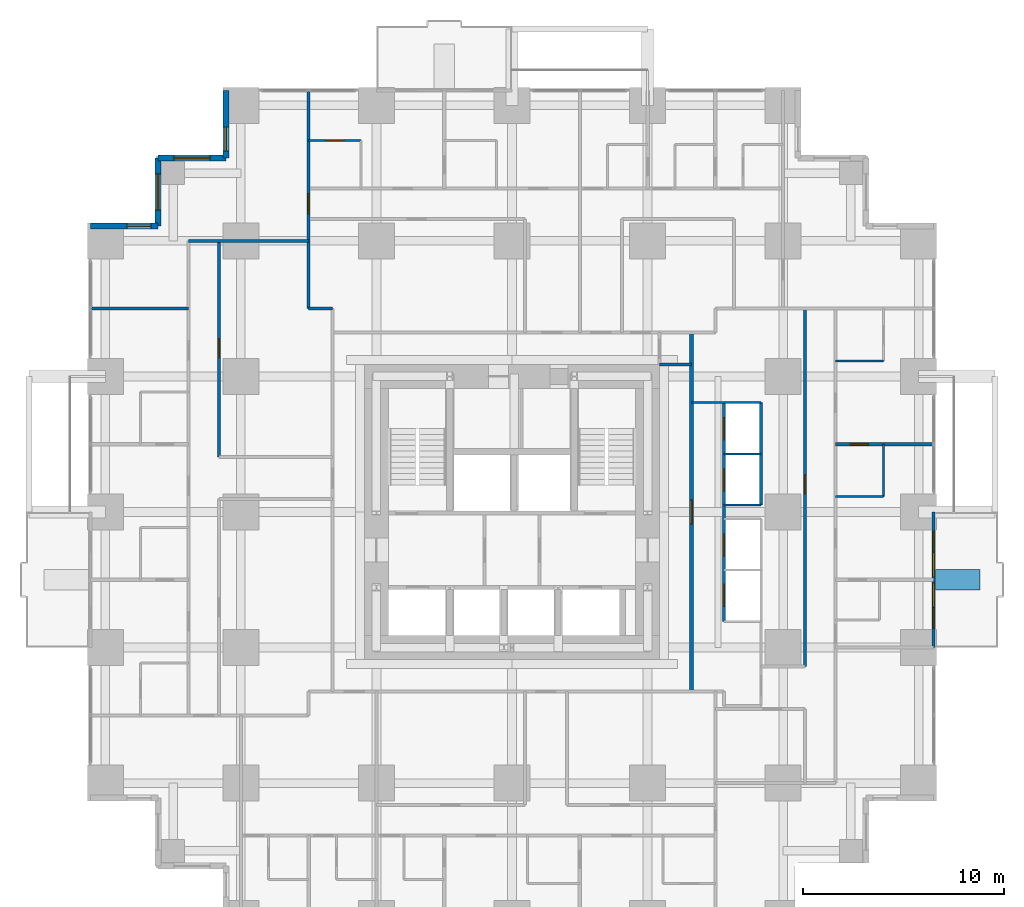
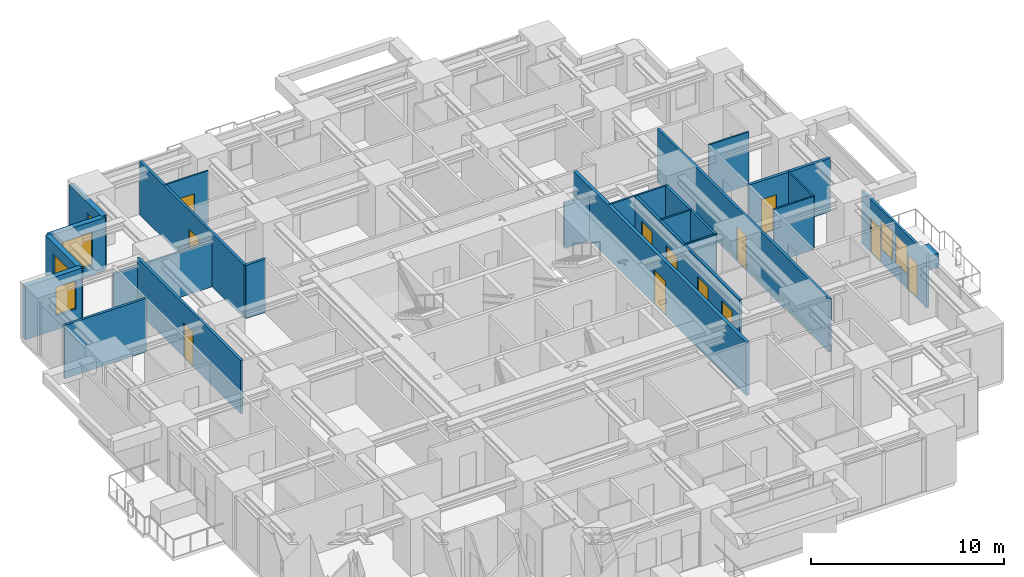
# One storey, part 11 of 14: 24 walls, 12 doors, 6 windows, 18 openings.
"""IFC4 building model written with IfcOpenShell, lengths in metres."""

import ifcopenshell
import ifcopenshell.guid

model = None  # the IFC model being written
_history = None  # IfcOwnerHistory: only IFC2X3 demands one
_inside = {}  # id of a spatial element -> (the spatial element, [elements in it])
_under = {}  # id of a project, library or spatial element -> (it, [spatial elements below it])
_declared = {}  # id of a project -> (the project, [libraries it declares])
_typed = {}  # id of a type object -> (the type object, [elements of that type])
_made_of = {}  # id of a material, layer set ... -> (it, [elements and type objects made of it])


def new_model(schema):
    """Start an empty IFC model of exactly this schema.

    Asked for "IFC4X3", IfcOpenShell would pick the latest addendum, in which some entities
    have other attributes; the version numbers below select the first issue.
    IFC2X3 requires an IfcOwnerHistory on every rooted entity: one is made here for all.
    """
    global model, _history
    if schema == "IFC4X3":
        model = ifcopenshell.file(schema_version=(4, 3, 0, 0))
    else:
        model = ifcopenshell.file(schema=schema)
    _inside.clear()
    _under.clear()
    _declared.clear()
    _typed.clear()
    _made_of.clear()
    _history = None
    if model.schema == "IFC2X3":
        org = make("IfcOrganization", Name="unknown")
        user = make(
            "IfcPersonAndOrganization",
            ThePerson=make("IfcPerson", FamilyName="unknown"),
            TheOrganization=org,
        )
        app = make(
            "IfcApplication",
            ApplicationDeveloper=org,
            Version="unknown",
            ApplicationFullName="unknown",
            ApplicationIdentifier="unknown",
        )
        _history = make(
            "IfcOwnerHistory",
            OwningUser=user,
            OwningApplication=app,
            ChangeAction="ADDED",
            CreationDate=0,
        )
    return model


def make(cls, **values):
    """One entity of the class cls with the attributes given. An attribute that is None is left unset."""
    return model.create_entity(
        cls, **{name: value for name, value in values.items() if value is not None}
    )


def rooted(cls, **values):
    """An entity with a GlobalId (a new one), such as an element, a storey or a relation."""
    return make(cls, GlobalId=ifcopenshell.guid.new(), OwnerHistory=_history, **values)


def si_unit(unit_type, name, prefix=None):
    """IfcSIUnit, for example si_unit("LENGTHUNIT", "METRE", prefix="MILLI")."""
    return make("IfcSIUnit", UnitType=unit_type, Prefix=prefix, Name=name)


def assignment(units):
    """IfcUnitAssignment: the units of a project."""
    return None if units is None else make("IfcUnitAssignment", Units=units)


def point(xyz):
    """IfcCartesianPoint."""
    return None if xyz is None else make("IfcCartesianPoint", Coordinates=xyz)


def direction(xyz):
    """IfcDirection."""
    return None if xyz is None else make("IfcDirection", DirectionRatios=xyz)


def frame(location, z_axis=None, x_axis=None):
    """IfcAxis2Placement3D, a coordinate frame: its origin and axes. An axis left out is left unset."""
    return make(
        "IfcAxis2Placement3D",
        Location=point(location),
        Axis=direction(z_axis),
        RefDirection=direction(x_axis),
    )


def frame_2d(location, x_axis=None):
    """IfcAxis2Placement2D, a coordinate frame in the plane: its origin and x axis."""
    return make(
        "IfcAxis2Placement2D", Location=point(location), RefDirection=direction(x_axis)
    )


def origin():
    """The frame at (0, 0, 0) with its axes left unset."""
    return frame((0.0, 0.0, 0.0))


def place(relative_to, where):
    """IfcLocalPlacement: puts the frame where relative to a parent placement (None: the world)."""
    return make(
        "IfcLocalPlacement", PlacementRelTo=relative_to, RelativePlacement=where
    )


def context(
    kind, dimensions, precision=None, world=None, true_north=None, identifier=None
):
    """IfcGeometricRepresentationContext, for example the 3D "Model" context."""
    return make(
        "IfcGeometricRepresentationContext",
        ContextIdentifier=identifier,
        ContextType=kind,
        CoordinateSpaceDimension=dimensions,
        Precision=precision,
        WorldCoordinateSystem=world,
        TrueNorth=true_north,
    )


def subcontext(parent, identifier, kind, view, scale=None):
    """IfcGeometricRepresentationSubContext, for example "Body" below "Model"."""
    return make(
        "IfcGeometricRepresentationSubContext",
        ContextIdentifier=identifier,
        ContextType=kind,
        ParentContext=parent,
        TargetScale=scale,
        TargetView=view,
    )


def project(units=None, contexts=None):
    """IfcProject with its units and contexts."""
    return rooted(
        "IfcProject",
        Name="project",
        RepresentationContexts=contexts,
        UnitsInContext=assignment(units),
    )


def spatial(cls, under=None, at=None, **own):
    """A site, building, storey or space (cls), placed at a placement, below another one or the project."""
    s = rooted(cls, ObjectPlacement=at, **own)
    if under is not None:
        _under.setdefault(under.id(), (under, []))[1].append(s)
    return s


def profile(cls, at=None, kind="AREA", **sizes):
    """A parametric profile (cls). Its sizes go by their IFC names, for example OverallWidth=200.0."""
    return make(cls, ProfileType=kind, Position=at, **sizes)


def rectangle(**sizes):
    """IfcRectangleProfileDef."""
    return profile("IfcRectangleProfileDef", **sizes)


def extrude(swept, where, along, depth):
    """IfcExtrudedAreaSolid: the profile swept, set in the frame where, extruded along a direction by depth."""
    return make(
        "IfcExtrudedAreaSolid",
        SweptArea=swept,
        Position=where,
        ExtrudedDirection=direction(along),
        Depth=depth,
    )


def shape(context_of_items, identifier, shape_type, items):
    """IfcShapeRepresentation: the items that make up one representation, for example the "Body"."""
    return make(
        "IfcShapeRepresentation",
        ContextOfItems=context_of_items,
        RepresentationIdentifier=identifier,
        RepresentationType=shape_type,
        Items=items,
    )


def material(Name=None, Category=None):
    """IfcMaterial."""
    return make("IfcMaterial", Name=Name, Category=Category)


def layer(
    of_material, thickness, ventilated=None, Name=None, Category=None, Priority=None
):
    """IfcMaterialLayer: one layer of a wall or slab, of a material (None: an air gap)."""
    return make(
        "IfcMaterialLayer",
        Material=of_material,
        LayerThickness=thickness,
        IsVentilated=ventilated,
        Name=Name,
        Category=Category,
        Priority=Priority,
    )


def layer_set(layers, Name=None):
    """IfcMaterialLayerSet."""
    return make("IfcMaterialLayerSet", MaterialLayers=layers, LayerSetName=Name)


def made_of(thing, what):
    """Note that an element or type object is made of a material, layer set ...; save() writes the relation."""
    if what is not None:
        _made_of.setdefault(what.id(), (what, []))[1].append(thing)
    return thing


def type_object(cls, material=None, **own):
    """A type object (cls), such as IfcWallType, which elements share."""
    return made_of(rooted(cls, **own), material)


def element(
    cls,
    number,
    at=None,
    inside=None,
    cuts=None,
    type_object=None,
    material=None,
    context=None,
    identifier="Body",
    shape_type=None,
    held_by="IfcProductDefinitionShape",
    body=None,
    shapes=None,
    **own,
):
    """One element of the class cls, such as IfcWall. Its Tag is "e" and its number.

    at: its placement. inside: the storey or other place that contains it. cuts: it is an
    opening in that element (IfcRelVoidsElement). A single representation is given by context,
    identifier, shape_type and body (its items); several are given by shapes. held_by: the class
    of the entity that holds the representations. save() writes the other relations.
    """
    e = rooted(cls, Tag="e%d" % number, ObjectPlacement=at, **own)
    if body is not None:
        shapes = [shape(context, identifier, shape_type, body)]
    if shapes is not None:
        e.Representation = make(held_by, Representations=shapes)
    if inside is not None:
        _inside.setdefault(inside.id(), (inside, []))[1].append(e)
    if cuts is not None:
        rooted(
            "IfcRelVoidsElement", RelatingBuildingElement=cuts, RelatedOpeningElement=e
        )
    if type_object is not None:
        _typed.setdefault(type_object.id(), (type_object, []))[1].append(e)
    return made_of(e, material)


def fill(opening, filler):
    """IfcRelFillsElement: the door or window that sits in an opening."""
    return rooted(
        "IfcRelFillsElement",
        RelatingOpeningElement=opening,
        RelatedBuildingElement=filler,
    )


def aggregate(whole, parts):
    """IfcRelAggregates: a whole, such as a stair, and the parts it consists of."""
    return rooted("IfcRelAggregates", RelatingObject=whole, RelatedObjects=parts)


def save(model, path):
    """Write the relations noted so far, then the file.

    IfcRelAggregates (storeys below a building ...), IfcRelContainedInSpatialStructure (elements
    in a storey), IfcRelDefinesByType, IfcRelAssociatesMaterial and IfcRelDeclares: one each for
    every whole, place, type object, material and project.
    """
    for whole, parts in _under.values():
        aggregate(whole, parts)
    for where, things in _inside.values():
        rooted(
            "IfcRelContainedInSpatialStructure",
            RelatedElements=things,
            RelatingStructure=where,
        )
    for kind, things in _typed.values():
        rooted("IfcRelDefinesByType", RelatedObjects=things, RelatingType=kind)
    for what, things in _made_of.values():
        rooted("IfcRelAssociatesMaterial", RelatedObjects=things, RelatingMaterial=what)
    for by, libraries in _declared.values():
        rooted("IfcRelDeclares", RelatingContext=by, RelatedDefinitions=libraries)
    model.write(path)


model = new_model("IFC4")

# Units and contexts
model_context = context("Model", 3, precision=1e-05, world=origin(), true_north=direction((0.0, 1.0)))
body_context = subcontext(model_context, "Body", "Model", "MODEL_VIEW")
ifc_project = project(units=[si_unit("LENGTHUNIT", "METRE"), si_unit("AREAUNIT", "SQUARE_METRE"), si_unit("VOLUMEUNIT", "CUBIC_METRE"), si_unit("PLANEANGLEUNIT", "RADIAN"), si_unit("MASSUNIT", "GRAM", prefix="KILO")], contexts=[model_context])

# Site, building, storey
site_placement = place(None, origin())
site = spatial("IfcSite", under=ifc_project, at=site_placement, CompositionType="ELEMENT")
building_placement = place(site_placement, origin())
building = spatial("IfcBuilding", under=site, at=building_placement, Name="Nyansa Garden Tower", CompositionType="ELEMENT")
storey_placement = place(building_placement, frame((0.0, 0.0, 54.0)))
storey = spatial("IfcBuildingStorey", under=building, at=storey_placement, Name="L14", CompositionType="ELEMENT", Elevation=54.0)

# Wall, opening, door
ifc_material_1 = material(Name="Dense blockwork, plastered both sides, 55 dB", Category="masonry")
ifc_layer_1 = layer(ifc_material_1, 0.175048828125)
ifc_layer_set_1 = layer_set([ifc_layer_1], Name="Acoustic party wall PW175")
wall_type_1 = type_object("IfcWallType", Name="Acoustic party wall PW175", PredefinedType="PARTITIONING", material=ifc_layer_set_1)
wall_1_placement = place(storey_placement, frame((36.35009765625, 23.625, 0.0), z_axis=(0.0, 0.0, 1.0), x_axis=(1.0, 0.0, 0.0)))
wall_1 = element("IfcWall", 1, at=wall_1_placement, inside=storey, type_object=wall_type_1, Name="Party wall", PredefinedType="PARTITIONING", context=body_context, shape_type="SweptSolid", body=[
    extrude(rectangle(XDim=4.8837890625, YDim=0.175048828125, at=frame_2d((2.44189453125, 0.0))), origin(), (0.0, 0.0, 1.0), 3.375),
])
opening_1_placement = place(wall_1_placement, frame((0.75, 0.0, 0.0)))
opening_1 = element("IfcOpeningElement", 2, at=opening_1_placement, cuts=wall_1, Name="Opening D02", PredefinedType="OPENING", context=body_context, shape_type="SweptSolid", body=[
    extrude(rectangle(XDim=0.89990234375, YDim=2.199951171875, at=frame_2d((0.449951171875, 1.10009765625))), frame((0.0, 0.097412109375, 0.0), z_axis=(0.0, -1.0, 0.0), x_axis=(1.0, 0.0, 0.0)), (0.0, 0.0, 1.0), 0.195068359375),
])
ifc_material_2 = material(Name="Timber flush door", Category="wood")
door_type_1 = type_object("IfcDoorType", Name="En-suite door D02 900x2200", OperationType="SINGLE_SWING_RIGHT", PredefinedType="DOOR", material=ifc_material_2)
door_1_placement = place(opening_1_placement, origin())
door_1 = element("IfcDoor", 3, at=door_1_placement, inside=storey, type_object=door_type_1, Name="Door L14-036", OperationType="SINGLE_SWING_RIGHT", OverallHeight=2.199951171875, OverallWidth=0.89990234375, PredefinedType="DOOR", context=body_context, shape_type="SweptSolid", body=[
    extrude(rectangle(XDim=0.89990234375, YDim=2.199951171875, at=frame_2d((0.449951171875, 1.10009765625))), frame((0.0, 0.02490234375, 0.0), z_axis=(0.0, -1.0, 0.0), x_axis=(1.0, 0.0, 0.0)), (0.0, 0.0, 1.0), 0.050048828125),
])
fill(opening_1, door_1)

# Wall, openings, doors, windows
ifc_material_3 = material(Name="Black aluminium framed glazed screen", Category="aluminium")
ifc_layer_2 = layer(ifc_material_3, 0.14990234375)
ifc_layer_set_2 = layer_set([ifc_layer_2], Name="Balcony screen wall BW150")
wall_type_2 = type_object("IfcWallType", Name="Balcony screen wall BW150", PredefinedType="SOLIDWALL", material=ifc_layer_set_2)
wall_2_placement = place(storey_placement, frame((41.25, 20.25, 0.0), z_axis=(0.0, 0.0, 1.0), x_axis=(0.0, -1.0, 0.0)))
wall_2 = element("IfcWall", 4, at=wall_2_placement, inside=storey, type_object=wall_type_2, Name="Glazed screen wall L14 E", PredefinedType="SOLIDWALL", context=body_context, shape_type="SweptSolid", body=[
    extrude(rectangle(XDim=6.75, YDim=0.14990234375, at=frame_2d((3.375, 0.0))), origin(), (0.0, 0.0, 1.0), 3.375),
])
opening_2_placement = place(wall_2_placement, frame((0.96240234375, 0.0, 0.0)))
opening_2 = element("IfcOpeningElement", 5, at=opening_2_placement, cuts=wall_2, Name="Opening D20", PredefinedType="OPENING", context=body_context, shape_type="SweptSolid", body=[
    extrude(rectangle(XDim=1.0, YDim=2.199951171875, at=frame_2d((0.5, 1.10009765625))), frame((0.0, 0.0849609375, 0.0), z_axis=(0.0, -1.0, 0.0), x_axis=(1.0, 0.0, 0.0)), (0.0, 0.0, 1.0), 0.169921875),
])
opening_3_placement = place(wall_2_placement, frame((2.02490234375, 0.0, 0.89990234375)))
opening_3 = element("IfcOpeningElement", 6, at=opening_3_placement, cuts=wall_2, Name="Opening W6", PredefinedType="OPENING", context=body_context, shape_type="SweptSolid", body=[
    extrude(rectangle(XDim=1.199951171875, YDim=1.800048828125, at=frame_2d((0.60009765625, 0.89990234375))), frame((0.0, 0.0849609375, 0.0), z_axis=(0.0, -1.0, 0.0), x_axis=(1.0, 0.0, 0.0)), (0.0, 0.0, 1.0), 0.169921875),
])
opening_4_placement = place(wall_2_placement, frame((4.78759765625, 0.0, 0.0)))
opening_4 = element("IfcOpeningElement", 7, at=opening_4_placement, cuts=wall_2, Name="Opening D20", PredefinedType="OPENING", context=body_context, shape_type="SweptSolid", body=[
    extrude(rectangle(XDim=1.0, YDim=2.199951171875, at=frame_2d((0.5, 1.10009765625))), frame((0.0, 0.0849609375, 0.0), z_axis=(0.0, -1.0, 0.0), x_axis=(1.0, 0.0, 0.0)), (0.0, 0.0, 1.0), 0.169921875),
])
opening_5_placement = place(wall_2_placement, frame((3.52490234375, 0.0, 0.89990234375)))
opening_5 = element("IfcOpeningElement", 8, at=opening_5_placement, cuts=wall_2, Name="Opening W6", PredefinedType="OPENING", context=body_context, shape_type="SweptSolid", body=[
    extrude(rectangle(XDim=1.199951171875, YDim=1.800048828125, at=frame_2d((0.60009765625, 0.89990234375))), frame((0.0, 0.0849609375, 0.0), z_axis=(0.0, -1.0, 0.0), x_axis=(1.0, 0.0, 0.0)), (0.0, 0.0, 1.0), 0.169921875),
])
ifc_material_4 = material(Name="Black aluminium framed glazed door", Category="aluminium")
door_type_2 = type_object("IfcDoorType", Name="Balcony door D20 1000x2200", OperationType="NOTDEFINED", PredefinedType="DOOR", material=ifc_material_4)
door_2_placement = place(opening_2_placement, origin())
door_2 = element("IfcDoor", 9, at=door_2_placement, inside=storey, type_object=door_type_2, Name="Balcony door L14", OperationType="SINGLE_SWING_LEFT", OverallHeight=2.199951171875, OverallWidth=1.0, PredefinedType="DOOR", context=body_context, shape_type="SweptSolid", body=[
    extrude(rectangle(XDim=1.0, YDim=2.199951171875, at=frame_2d((0.5, 1.10009765625))), frame((0.0, 0.02490234375, 0.0), z_axis=(0.0, -1.0, 0.0), x_axis=(1.0, 0.0, 0.0)), (0.0, 0.0, 1.0), 0.050048828125),
])
fill(opening_2, door_2)
door_3_placement = place(opening_4_placement, origin())
door_3 = element("IfcDoor", 10, at=door_3_placement, inside=storey, type_object=door_type_2, Name="Balcony door L14", OperationType="SINGLE_SWING_RIGHT", OverallHeight=2.199951171875, OverallWidth=1.0, PredefinedType="DOOR", context=body_context, shape_type="SweptSolid", body=[
    extrude(rectangle(XDim=1.0, YDim=2.199951171875, at=frame_2d((0.5, 1.10009765625))), frame((0.0, 0.02490234375, 0.0), z_axis=(0.0, -1.0, 0.0), x_axis=(1.0, 0.0, 0.0)), (0.0, 0.0, 1.0), 0.050048828125),
])
fill(opening_4, door_3)
ifc_material_5 = material(Name="Black aluminium frame, dark tinted double glazing", Category="aluminium")
window_type_1 = type_object("IfcWindowType", Name="Balcony window W6 1200x1800", PartitioningType="SINGLE_PANEL", PredefinedType="WINDOW", material=ifc_material_5)
window_1_placement = place(opening_3_placement, origin())
window_1 = element("IfcWindow", 11, at=window_1_placement, inside=storey, type_object=window_type_1, Name="Window L14", OverallHeight=1.800048828125, OverallWidth=1.199951171875, PartitioningType="SINGLE_PANEL", PredefinedType="WINDOW", context=body_context, shape_type="SweptSolid", body=[
    extrude(rectangle(XDim=1.199951171875, YDim=1.800048828125, at=frame_2d((0.60009765625, 0.89990234375))), frame((0.0, 0.030029296875, 0.0), z_axis=(0.0, -1.0, 0.0), x_axis=(1.0, 0.0, 0.0)), (0.0, 0.0, 1.0), 0.06005859375),
])
fill(opening_3, window_1)
window_2_placement = place(opening_5_placement, origin())
window_2 = element("IfcWindow", 12, at=window_2_placement, inside=storey, type_object=window_type_1, Name="Window L14", OverallHeight=1.800048828125, OverallWidth=1.199951171875, PartitioningType="SINGLE_PANEL", PredefinedType="WINDOW", context=body_context, shape_type="SweptSolid", body=[
    extrude(rectangle(XDim=1.199951171875, YDim=1.800048828125, at=frame_2d((0.60009765625, 0.89990234375))), frame((0.0, 0.030029296875, 0.0), z_axis=(0.0, -1.0, 0.0), x_axis=(1.0, 0.0, 0.0)), (0.0, 0.0, 1.0), 0.06005859375),
])
fill(opening_5, window_2)

# Wall, opening, door
ifc_material_6 = material(Name="Concrete blockwork, plastered, 60 minute fire resisting", Category="masonry")
ifc_layer_3 = layer(ifc_material_6, 0.199951171875)
ifc_layer_set_3 = layer_set([ifc_layer_3], Name="Corridor wall FW200")
wall_type_3 = type_object("IfcWallType", Name="Corridor wall FW200", PredefinedType="PARTITIONING", material=ifc_layer_set_3)
wall_3_placement = place(storey_placement, frame((29.199951171875, 11.300048828125, 0.0), z_axis=(0.0, 0.0, 1.0), x_axis=(0.0, 1.0, 0.0)))
wall_3 = element("IfcWall", 13, at=wall_3_placement, inside=storey, type_object=wall_type_3, Name="Corridor wall", PredefinedType="PARTITIONING", context=body_context, shape_type="SweptSolid", body=[
    extrude(rectangle(XDim=17.89990234375, YDim=0.199951171875, at=frame_2d((8.949951171875, 0.0))), origin(), (0.0, 0.0, 1.0), 3.375),
])
opening_6_placement = place(wall_3_placement, frame((8.35009765625, 0.0, 0.0)))
opening_6 = element("IfcOpeningElement", 14, at=opening_6_placement, cuts=wall_3, Name="Opening D06", PredefinedType="OPENING", context=body_context, shape_type="SweptSolid", body=[
    extrude(rectangle(XDim=1.199951171875, YDim=2.199951171875, at=frame_2d((0.60009765625, 1.10009765625))), frame((0.0, 0.10986328125, 0.0), z_axis=(0.0, -1.0, 0.0), x_axis=(1.0, 0.0, 0.0)), (0.0, 0.0, 1.0), 0.219970703125),
])
ifc_material_7 = material(Name="Steel door, 120 minute fire resisting", Category="steel")
door_type_3 = type_object("IfcDoorType", Name="Lobby door D06 1200x2200", OperationType="DOUBLE_DOOR_SINGLE_SWING", PredefinedType="DOOR", material=ifc_material_7)
door_4_placement = place(opening_6_placement, origin())
door_4 = element("IfcDoor", 15, at=door_4_placement, inside=storey, type_object=door_type_3, Name="Low-rise lift lobby door", OperationType="DOUBLE_DOOR_SINGLE_SWING", OverallHeight=2.199951171875, OverallWidth=1.199951171875, PredefinedType="DOOR", context=body_context, shape_type="SweptSolid", body=[
    extrude(rectangle(XDim=1.199951171875, YDim=2.199951171875, at=frame_2d((0.60009765625, 1.10009765625))), frame((0.0, 0.02490234375, 0.0), z_axis=(0.0, -1.0, 0.0), x_axis=(1.0, 0.0, 0.0)), (0.0, 0.0, 1.0), 0.050048828125),
])
fill(opening_6, door_4)

# Walls
ifc_material_8 = material(Name="Steel-stud shaft wall, two layers fire-rated board, EI 120", Category="steel")
ifc_layer_4 = layer(ifc_material_8, 0.10009765625)
ifc_layer_set_4 = layer_set([ifc_layer_4], Name="Lift shaft wall SW100")
wall_type_4 = type_object("IfcWallType", Name="Lift shaft wall SW100", PredefinedType="SHEAR", material=ifc_layer_set_4)
wall_4_placement = place(storey_placement, frame((29.199951171875, 25.699951171875, 0.0), z_axis=(0.0, 0.0, 1.0), x_axis=(1.0, 0.0, 0.0)))
element("IfcWall", 16, at=wall_4_placement, inside=storey, type_object=wall_type_4, Name="Lift shaft wall", PredefinedType="SHEAR", context=body_context, shape_type="SweptSolid", body=[
    extrude(rectangle(XDim=3.449951171875, YDim=0.10009765625, at=frame_2d((1.72509765625, 0.0))), origin(), (0.0, 0.0, 1.0), 3.375),
])
for number, where, z_axis, x_axis, name in (
    (17, (30.800048828125, 20.60009765625, 0.0), (0.0, 0.0, 1.0), (1.0, 0.0, 0.0), "Lift shaft wall"),
    (18, (30.800048828125, 23.14990234375, 0.0), (0.0, 0.0, 1.0), (1.0, 0.0, 0.0), "Lift shaft wall"),
):
    element("IfcWall", number, at=place(storey_placement, frame(where, z_axis=z_axis, x_axis=x_axis)), inside=storey, type_object=wall_type_4, Name=name, PredefinedType="SHEAR", context=body_context, shape_type="SweptSolid", body=[
        extrude(rectangle(XDim=1.849853515625, YDim=0.10009765625, at=frame_2d((0.9248046875, 0.0))), origin(), (0.0, 0.0, 1.0), 3.375),
    ])
ifc_material_9 = material(Name="Blockwork, plastered both sides", Category="masonry")
ifc_layer_5 = layer(ifc_material_9, 0.14990234375)
ifc_layer_set_5 = layer_set([ifc_layer_5], Name="Partition PW150")
wall_type_5 = type_object("IfcWallType", Name="Partition PW150", PredefinedType="PARTITIONING", material=ifc_layer_set_5)
wall_5_placement = place(storey_placement, frame((-0.73388671875, 30.375, 0.0), z_axis=(0.0, 0.0, 1.0), x_axis=(1.0, 0.0, 0.0)))
element("IfcWall", 19, at=wall_5_placement, inside=storey, type_object=wall_type_5, Name="Partition", PredefinedType="PARTITIONING", context=body_context, shape_type="SweptSolid", body=[
    extrude(rectangle(XDim=4.8837890625, YDim=0.14990234375, at=frame_2d((2.44189453125, 0.0))), origin(), (0.0, 0.0, 1.0), 3.375),
])
wall_6_placement = place(storey_placement, frame((4.14990234375, 33.75, 0.0), z_axis=(0.0, 0.0, 1.0), x_axis=(1.0, 0.0, 0.0)))
element("IfcWall", 20, at=wall_6_placement, inside=storey, type_object=wall_type_5, Name="Partition", PredefinedType="PARTITIONING", context=body_context, shape_type="SweptSolid", body=[
    extrude(rectangle(XDim=5.97509765625, YDim=0.14990234375, at=frame_2d((2.987548828125, 0.0))), origin(), (0.0, 0.0, 1.0), 2.876953125),
])

# Wall, opening, door
wall_7_placement = place(storey_placement, frame((5.64990234375, 22.987548828125, 0.0), z_axis=(0.0, 0.0, 1.0), x_axis=(0.0, 1.0, 0.0)))
wall_7 = element("IfcWall", 21, at=wall_7_placement, inside=storey, type_object=wall_type_5, Name="Partition", PredefinedType="PARTITIONING", context=body_context, shape_type="SweptSolid", body=[
    extrude(rectangle(XDim=10.762451171875, YDim=0.14990234375, at=frame_2d((5.38134765625, 0.0))), origin(), (0.0, 0.0, 1.0), 3.375),
])
opening_7_placement = place(wall_7_placement, frame((4.949951171875, 0.0, 0.0)))
opening_7 = element("IfcOpeningElement", 22, at=opening_7_placement, cuts=wall_7, Name="Opening D01", PredefinedType="OPENING", context=body_context, shape_type="SweptSolid", body=[
    extrude(rectangle(XDim=0.949951171875, YDim=2.199951171875, at=frame_2d((0.47509765625, 1.10009765625))), frame((0.0, 0.0849609375, 0.0), z_axis=(0.0, -1.0, 0.0), x_axis=(1.0, 0.0, 0.0)), (0.0, 0.0, 1.0), 0.169921875),
])
ifc_material_10 = material(Name="Timber flush door, 30 minute fire resisting", Category="wood")
door_type_4 = type_object("IfcDoorType", Name="Bedroom door D01 950x2200", OperationType="SINGLE_SWING_LEFT", PredefinedType="DOOR", material=ifc_material_10)
door_5_placement = place(opening_7_placement, origin())
door_5 = element("IfcDoor", 23, at=door_5_placement, inside=storey, type_object=door_type_4, Name="Door L14-066", OperationType="SINGLE_SWING_LEFT", OverallHeight=2.199951171875, OverallWidth=0.949951171875, PredefinedType="DOOR", context=body_context, shape_type="SweptSolid", body=[
    extrude(rectangle(XDim=0.949951171875, YDim=2.199951171875, at=frame_2d((0.47509765625, 1.10009765625))), frame((0.0, 0.02490234375, 0.0), z_axis=(0.0, -1.0, 0.0), x_axis=(1.0, 0.0, 0.0)), (0.0, 0.0, 1.0), 0.050048828125),
])
fill(opening_7, door_5)

wall_8_placement = place(storey_placement, frame((10.125, 30.375, 0.0), z_axis=(0.0, 0.0, 1.0), x_axis=(0.0, 1.0, 0.0)))
wall_8 = element("IfcWall", 24, at=wall_8_placement, inside=storey, type_object=wall_type_5, Name="Partition", PredefinedType="PARTITIONING", context=body_context, shape_type="SweptSolid", body=[
    extrude(rectangle(XDim=10.85888671875, YDim=0.14990234375, at=frame_2d((5.429443359375, 0.0))), origin(), (0.0, 0.0, 1.0), 3.375),
])
opening_8_placement = place(wall_8_placement, frame((4.72509765625, 0.0, 0.0)))
opening_8 = element("IfcOpeningElement", 25, at=opening_8_placement, cuts=wall_8, Name="Opening D03", PredefinedType="OPENING", context=body_context, shape_type="SweptSolid", body=[
    extrude(rectangle(XDim=1.0, YDim=2.199951171875, at=frame_2d((0.5, 1.10009765625))), frame((0.0, 0.0849609375, 0.0), z_axis=(0.0, -1.0, 0.0), x_axis=(1.0, 0.0, 0.0)), (0.0, 0.0, 1.0), 0.169921875),
])
ifc_material_11 = material(Name="Timber flush door, 60 minute fire resisting", Category="wood")
door_type_5 = type_object("IfcDoorType", Name="Cluster entrance door D03 1000x2200", OperationType="SINGLE_SWING_LEFT", PredefinedType="DOOR", material=ifc_material_11)
door_6_placement = place(opening_8_placement, origin())
door_6 = element("IfcDoor", 26, at=door_6_placement, inside=storey, type_object=door_type_5, Name="Door L14-057", OperationType="SINGLE_SWING_LEFT", OverallHeight=2.199951171875, OverallWidth=1.0, PredefinedType="DOOR", context=body_context, shape_type="SweptSolid", body=[
    extrude(rectangle(XDim=1.0, YDim=2.199951171875, at=frame_2d((0.5, 1.10009765625))), frame((0.0, 0.02490234375, 0.0), z_axis=(0.0, -1.0, 0.0), x_axis=(1.0, 0.0, 0.0)), (0.0, 0.0, 1.0), 0.050048828125),
])
fill(opening_8, door_6)

# Walls
wall_9_placement = place(storey_placement, frame((10.125, 30.375, 0.0), z_axis=(0.0, 0.0, 1.0), x_axis=(1.0, 0.0, 0.0)))
element("IfcWall", 27, at=wall_9_placement, inside=storey, type_object=wall_type_5, Name="Partition", PredefinedType="PARTITIONING", context=body_context, shape_type="SweptSolid", body=[
    extrude(rectangle(XDim=1.175048828125, YDim=0.14990234375, at=frame_2d((0.58740234375, 0.0))), origin(), (0.0, 0.0, 1.0), 3.375),
])
wall_10_placement = place(storey_placement, frame((27.60009765625, 27.60009765625, 0.0), z_axis=(0.0, 0.0, 1.0), x_axis=(1.0, 0.0, 0.0)))
element("IfcWall", 28, at=wall_10_placement, inside=storey, type_object=wall_type_5, Name="Partition", PredefinedType="PARTITIONING", context=body_context, shape_type="SweptSolid", body=[
    extrude(rectangle(XDim=1.599853515625, YDim=0.14990234375, at=frame_2d((0.7998046875, 0.0))), origin(), (0.0, 0.0, 1.0), 2.876953125),
])

# Wall, openings, doors
wall_11_placement = place(storey_placement, frame((30.800048828125, 14.800048828125, 0.0), z_axis=(0.0, 0.0, 1.0), x_axis=(0.0, 1.0, 0.0)))
wall_11 = element("IfcWall", 29, at=wall_11_placement, inside=storey, type_object=wall_type_5, Name="Partition", PredefinedType="PARTITIONING", context=body_context, shape_type="SweptSolid", body=[
    extrude(rectangle(XDim=10.89990234375, YDim=0.14990234375, at=frame_2d((5.449951171875, 0.0))), origin(), (0.0, 0.0, 1.0), 3.375),
])
opening_9_placement = place(wall_11_placement, frame((0.75, 0.0, 0.0)))
opening_9 = element("IfcOpeningElement", 30, at=opening_9_placement, cuts=wall_11, Name="Opening LD-A", PredefinedType="OPENING", context=body_context, shape_type="SweptSolid", body=[
    extrude(rectangle(XDim=1.10009765625, YDim=2.199951171875, at=frame_2d((0.550048828125, 1.10009765625))), frame((0.0, 0.0849609375, 0.0), z_axis=(0.0, -1.0, 0.0), x_axis=(1.0, 0.0, 0.0)), (0.0, 0.0, 1.0), 0.169921875),
])
opening_10_placement = place(wall_11_placement, frame((3.25, 0.0, 0.0)))
opening_10 = element("IfcOpeningElement", 31, at=opening_10_placement, cuts=wall_11, Name="Opening LD-A", PredefinedType="OPENING", context=body_context, shape_type="SweptSolid", body=[
    extrude(rectangle(XDim=1.10009765625, YDim=2.199951171875, at=frame_2d((0.550048828125, 1.10009765625))), frame((0.0, 0.0849609375, 0.0), z_axis=(0.0, -1.0, 0.0), x_axis=(1.0, 0.0, 0.0)), (0.0, 0.0, 1.0), 0.169921875),
])
opening_11_placement = place(wall_11_placement, frame((6.5, 0.0, 0.0)))
opening_11 = element("IfcOpeningElement", 32, at=opening_11_placement, cuts=wall_11, Name="Opening LD-A", PredefinedType="OPENING", context=body_context, shape_type="SweptSolid", body=[
    extrude(rectangle(XDim=1.10009765625, YDim=2.199951171875, at=frame_2d((0.550048828125, 1.10009765625))), frame((0.0, 0.0849609375, 0.0), z_axis=(0.0, -1.0, 0.0), x_axis=(1.0, 0.0, 0.0)), (0.0, 0.0, 1.0), 0.169921875),
])
opening_12_placement = place(wall_11_placement, frame((9.050048828125, 0.0, 0.0)))
opening_12 = element("IfcOpeningElement", 33, at=opening_12_placement, cuts=wall_11, Name="Opening LD-A", PredefinedType="OPENING", context=body_context, shape_type="SweptSolid", body=[
    extrude(rectangle(XDim=1.10009765625, YDim=2.199951171875, at=frame_2d((0.550048828125, 1.10009765625))), frame((0.0, 0.0849609375, 0.0), z_axis=(0.0, -1.0, 0.0), x_axis=(1.0, 0.0, 0.0)), (0.0, 0.0, 1.0), 0.169921875),
])
ifc_material_12 = material(Name="Stainless steel centre-opening landing door of the low-rise lift, E 120", Category="steel")
door_type_6 = type_object("IfcDoorType", Name="Lift landing door LD-A 1100x2200", OperationType="DOUBLE_DOOR_SLIDING", PredefinedType="DOOR", material=ifc_material_12)
door_7_placement = place(opening_9_placement, origin())
door_7 = element("IfcDoor", 34, at=door_7_placement, inside=storey, type_object=door_type_6, Name="Landing door A1", OperationType="DOUBLE_DOOR_SLIDING", OverallHeight=2.199951171875, OverallWidth=1.10009765625, PredefinedType="DOOR", context=body_context, shape_type="SweptSolid", body=[
    extrude(rectangle(XDim=1.10009765625, YDim=2.199951171875, at=frame_2d((0.550048828125, 1.10009765625))), frame((0.0, 0.02490234375, 0.0), z_axis=(0.0, -1.0, 0.0), x_axis=(1.0, 0.0, 0.0)), (0.0, 0.0, 1.0), 0.050048828125),
])
fill(opening_9, door_7)
door_8_placement = place(opening_10_placement, origin())
door_8 = element("IfcDoor", 35, at=door_8_placement, inside=storey, type_object=door_type_6, Name="Landing door A2", OperationType="DOUBLE_DOOR_SLIDING", OverallHeight=2.199951171875, OverallWidth=1.10009765625, PredefinedType="DOOR", context=body_context, shape_type="SweptSolid", body=[
    extrude(rectangle(XDim=1.10009765625, YDim=2.199951171875, at=frame_2d((0.550048828125, 1.10009765625))), frame((0.0, 0.02490234375, 0.0), z_axis=(0.0, -1.0, 0.0), x_axis=(1.0, 0.0, 0.0)), (0.0, 0.0, 1.0), 0.050048828125),
])
fill(opening_10, door_8)
door_9_placement = place(opening_11_placement, origin())
door_9 = element("IfcDoor", 36, at=door_9_placement, inside=storey, type_object=door_type_6, Name="Landing door A3", OperationType="DOUBLE_DOOR_SLIDING", OverallHeight=2.199951171875, OverallWidth=1.10009765625, PredefinedType="DOOR", context=body_context, shape_type="SweptSolid", body=[
    extrude(rectangle(XDim=1.10009765625, YDim=2.199951171875, at=frame_2d((0.550048828125, 1.10009765625))), frame((0.0, 0.02490234375, 0.0), z_axis=(0.0, -1.0, 0.0), x_axis=(1.0, 0.0, 0.0)), (0.0, 0.0, 1.0), 0.050048828125),
])
fill(opening_11, door_9)
door_10_placement = place(opening_12_placement, origin())
door_10 = element("IfcDoor", 37, at=door_10_placement, inside=storey, type_object=door_type_6, Name="Landing door A4", OperationType="DOUBLE_DOOR_SLIDING", OverallHeight=2.199951171875, OverallWidth=1.10009765625, PredefinedType="DOOR", context=body_context, shape_type="SweptSolid", body=[
    extrude(rectangle(XDim=1.10009765625, YDim=2.199951171875, at=frame_2d((0.550048828125, 1.10009765625))), frame((0.0, 0.02490234375, 0.0), z_axis=(0.0, -1.0, 0.0), x_axis=(1.0, 0.0, 0.0)), (0.0, 0.0, 1.0), 0.050048828125),
])
fill(opening_12, door_10)

# Wall
wall_12_placement = place(storey_placement, frame((32.64990234375, 20.60009765625, 0.0), z_axis=(0.0, 0.0, 1.0), x_axis=(0.0, 1.0, 0.0)))
element("IfcWall", 38, at=wall_12_placement, inside=storey, type_object=wall_type_5, Name="Partition", PredefinedType="PARTITIONING", context=body_context, shape_type="SweptSolid", body=[
    extrude(rectangle(XDim=5.099853515625, YDim=0.14990234375, at=frame_2d((2.5498046875, 0.0))), origin(), (0.0, 0.0, 1.0), 3.375),
])

# Wall, opening, door
wall_13_placement = place(storey_placement, frame((34.85009765625, 12.550048828125, 0.0), z_axis=(0.0, 0.0, 1.0), x_axis=(0.0, 1.0, 0.0)))
wall_13 = element("IfcWall", 39, at=wall_13_placement, inside=storey, type_object=wall_type_5, Name="Partition", PredefinedType="PARTITIONING", context=body_context, shape_type="SweptSolid", body=[
    extrude(rectangle(XDim=17.824951171875, YDim=0.14990234375, at=frame_2d((8.91259765625, 0.0))), origin(), (0.0, 0.0, 1.0), 3.375),
])
opening_13_placement = place(wall_13_placement, frame((8.60009765625, 0.0, 0.0)))
opening_13 = element("IfcOpeningElement", 40, at=opening_13_placement, cuts=wall_13, Name="Opening D01", PredefinedType="OPENING", context=body_context, shape_type="SweptSolid", body=[
    extrude(rectangle(XDim=0.949951171875, YDim=2.199951171875, at=frame_2d((0.47509765625, 1.10009765625))), frame((0.0, 0.0849609375, 0.0), z_axis=(0.0, -1.0, 0.0), x_axis=(1.0, 0.0, 0.0)), (0.0, 0.0, 1.0), 0.169921875),
])
door_11_placement = place(opening_13_placement, origin())
door_11 = element("IfcDoor", 41, at=door_11_placement, inside=storey, type_object=door_type_4, Name="Door L14-040", OperationType="SINGLE_SWING_LEFT", OverallHeight=2.199951171875, OverallWidth=0.949951171875, PredefinedType="DOOR", context=body_context, shape_type="SweptSolid", body=[
    extrude(rectangle(XDim=0.949951171875, YDim=2.199951171875, at=frame_2d((0.47509765625, 1.10009765625))), frame((0.0, 0.02490234375, 0.0), z_axis=(0.0, -1.0, 0.0), x_axis=(1.0, 0.0, 0.0)), (0.0, 0.0, 1.0), 0.050048828125),
])
fill(opening_13, door_11)

# Wall, opening, window
ifc_material_13 = material(Name="Turquoise glazed tile on concrete blockwork", Category="masonry")
ifc_layer_6 = layer(ifc_material_13, 0.300048828125)
ifc_layer_set_6 = layer_set([ifc_layer_6], Name="Tiled corner wall TW300")
wall_type_6 = type_object("IfcWallType", Name="Tiled corner wall TW300", PredefinedType="SOLIDWALL", material=ifc_layer_set_6)
wall_14_placement = place(storey_placement, frame((6.0, 41.25, 0.0), z_axis=(0.0, 0.0, 1.0), x_axis=(0.0, -1.0, 0.0)))
wall_14 = element("IfcWall", 42, at=wall_14_placement, inside=storey, type_object=wall_type_6, Name="Tiled corner wall L14", PredefinedType="SOLIDWALL", context=body_context, shape_type="SweptSolid", body=[
    extrude(rectangle(XDim=3.375, YDim=0.300048828125, at=frame_2d((1.6875, 0.0))), origin(), (0.0, 0.0, 1.0), 3.375),
])
opening_14_placement = place(wall_14_placement, frame((1.83251953125, 0.0, 0.89990234375)))
opening_14 = element("IfcOpeningElement", 43, at=opening_14_placement, cuts=wall_14, Name="Opening W4", PredefinedType="OPENING", context=body_context, shape_type="SweptSolid", body=[
    extrude(rectangle(XDim=1.199951171875, YDim=1.800048828125, at=frame_2d((0.60009765625, 0.89990234375))), frame((0.0, 0.159912109375, 0.0), z_axis=(0.0, -1.0, 0.0), x_axis=(1.0, 0.0, 0.0)), (0.0, 0.0, 1.0), 0.320068359375),
])
ifc_material_14 = material(Name="Black aluminium frame, dark tinted double glazing", Category="aluminium")
window_type_2 = type_object("IfcWindowType", Name="Window W4 1200x1800", PartitioningType="SINGLE_PANEL", PredefinedType="WINDOW", material=ifc_material_14)
window_3_placement = place(opening_14_placement, origin())
window_3 = element("IfcWindow", 44, at=window_3_placement, inside=storey, type_object=window_type_2, Name="Corner window L14", OverallHeight=1.800048828125, OverallWidth=1.199951171875, PartitioningType="SINGLE_PANEL", PredefinedType="WINDOW", context=body_context, shape_type="SweptSolid", body=[
    extrude(rectangle(XDim=1.199951171875, YDim=1.800048828125, at=frame_2d((0.60009765625, 0.89990234375))), frame((0.0, 0.030029296875, 0.0), z_axis=(0.0, -1.0, 0.0), x_axis=(1.0, 0.0, 0.0)), (0.0, 0.0, 1.0), 0.06005859375),
])
fill(opening_14, window_3)

wall_15_placement = place(storey_placement, frame((6.0, 37.875, 0.0), z_axis=(0.0, 0.0, 1.0), x_axis=(-1.0, 0.0, 0.0)))
wall_15 = element("IfcWall", 45, at=wall_15_placement, inside=storey, type_object=wall_type_6, Name="Tiled corner wall L14", PredefinedType="SOLIDWALL", context=body_context, shape_type="SweptSolid", body=[
    extrude(rectangle(XDim=3.375, YDim=0.300048828125, at=frame_2d((1.6875, 0.0))), origin(), (0.0, 0.0, 1.0), 3.375),
])
opening_15_placement = place(wall_15_placement, frame((0.78759765625, 0.0, 0.60009765625)))
opening_15 = element("IfcOpeningElement", 46, at=opening_15_placement, cuts=wall_15, Name="Opening W2", PredefinedType="OPENING", context=body_context, shape_type="SweptSolid", body=[
    extrude(rectangle(XDim=1.800048828125, YDim=2.10009765625, at=frame_2d((0.89990234375, 1.050048828125))), frame((0.0, 0.159912109375, 0.0), z_axis=(0.0, -1.0, 0.0), x_axis=(1.0, 0.0, 0.0)), (0.0, 0.0, 1.0), 0.320068359375),
])
ifc_material_15 = material(Name="Black aluminium frame, dark tinted double glazing", Category="aluminium")
window_type_3 = type_object("IfcWindowType", Name="Window W2 1800x2100", PartitioningType="SINGLE_PANEL", PredefinedType="WINDOW", material=ifc_material_15)
window_4_placement = place(opening_15_placement, origin())
window_4 = element("IfcWindow", 47, at=window_4_placement, inside=storey, type_object=window_type_3, Name="Corner window L14", OverallHeight=2.10009765625, OverallWidth=1.800048828125, PartitioningType="SINGLE_PANEL", PredefinedType="WINDOW", context=body_context, shape_type="SweptSolid", body=[
    extrude(rectangle(XDim=1.800048828125, YDim=2.10009765625, at=frame_2d((0.89990234375, 1.050048828125))), frame((0.0, 0.030029296875, 0.0), z_axis=(0.0, -1.0, 0.0), x_axis=(1.0, 0.0, 0.0)), (0.0, 0.0, 1.0), 0.06005859375),
])
fill(opening_15, window_4)

wall_16_placement = place(storey_placement, frame((2.625, 37.875, 0.0), z_axis=(0.0, 0.0, 1.0), x_axis=(0.0, -1.0, 0.0)))
wall_16 = element("IfcWall", 48, at=wall_16_placement, inside=storey, type_object=wall_type_6, Name="Tiled corner wall L14", PredefinedType="SOLIDWALL", context=body_context, shape_type="SweptSolid", body=[
    extrude(rectangle(XDim=3.375, YDim=0.300048828125, at=frame_2d((1.6875, 0.0))), origin(), (0.0, 0.0, 1.0), 3.375),
])
opening_16_placement = place(wall_16_placement, frame((0.78759765625, 0.0, 0.60009765625)))
opening_16 = element("IfcOpeningElement", 49, at=opening_16_placement, cuts=wall_16, Name="Opening W2", PredefinedType="OPENING", context=body_context, shape_type="SweptSolid", body=[
    extrude(rectangle(XDim=1.800048828125, YDim=2.10009765625, at=frame_2d((0.89990234375, 1.050048828125))), frame((0.0, 0.159912109375, 0.0), z_axis=(0.0, -1.0, 0.0), x_axis=(1.0, 0.0, 0.0)), (0.0, 0.0, 1.0), 0.320068359375),
])
window_5_placement = place(opening_16_placement, origin())
window_5 = element("IfcWindow", 50, at=window_5_placement, inside=storey, type_object=window_type_3, Name="Corner window L14", OverallHeight=2.10009765625, OverallWidth=1.800048828125, PartitioningType="SINGLE_PANEL", PredefinedType="WINDOW", context=body_context, shape_type="SweptSolid", body=[
    extrude(rectangle(XDim=1.800048828125, YDim=2.10009765625, at=frame_2d((0.89990234375, 1.050048828125))), frame((0.0, 0.030029296875, 0.0), z_axis=(0.0, -1.0, 0.0), x_axis=(1.0, 0.0, 0.0)), (0.0, 0.0, 1.0), 0.06005859375),
])
fill(opening_16, window_5)

wall_17_placement = place(storey_placement, frame((2.625, 34.5, 0.0), z_axis=(0.0, 0.0, 1.0), x_axis=(-1.0, 0.0, 0.0)))
wall_17 = element("IfcWall", 51, at=wall_17_placement, inside=storey, type_object=wall_type_6, Name="Tiled corner wall L14", PredefinedType="SOLIDWALL", context=body_context, shape_type="SweptSolid", body=[
    extrude(rectangle(XDim=3.375, YDim=0.300048828125, at=frame_2d((1.6875, 0.0))), origin(), (0.0, 0.0, 1.0), 3.375),
])
opening_17_placement = place(wall_17_placement, frame((0.342529296875, 0.0, 0.89990234375)))
opening_17 = element("IfcOpeningElement", 52, at=opening_17_placement, cuts=wall_17, Name="Opening W4", PredefinedType="OPENING", context=body_context, shape_type="SweptSolid", body=[
    extrude(rectangle(XDim=1.199951171875, YDim=1.800048828125, at=frame_2d((0.60009765625, 0.89990234375))), frame((0.0, 0.159912109375, 0.0), z_axis=(0.0, -1.0, 0.0), x_axis=(1.0, 0.0, 0.0)), (0.0, 0.0, 1.0), 0.320068359375),
])
window_6_placement = place(opening_17_placement, origin())
window_6 = element("IfcWindow", 53, at=window_6_placement, inside=storey, type_object=window_type_2, Name="Corner window L14", OverallHeight=1.800048828125, OverallWidth=1.199951171875, PartitioningType="SINGLE_PANEL", PredefinedType="WINDOW", context=body_context, shape_type="SweptSolid", body=[
    extrude(rectangle(XDim=1.199951171875, YDim=1.800048828125, at=frame_2d((0.60009765625, 0.89990234375))), frame((0.0, 0.030029296875, 0.0), z_axis=(0.0, -1.0, 0.0), x_axis=(1.0, 0.0, 0.0)), (0.0, 0.0, 1.0), 0.06005859375),
])
fill(opening_17, window_6)

# Wall
ifc_material_16 = material(Name="Concrete C40/50 planter, waterproofed", Category="concrete")
ifc_layer_7 = layer(ifc_material_16, 1.0)
ifc_layer_set_7 = layer_set([ifc_layer_7], Name="Tree planter TP1")
wall_type_7 = type_object("IfcWallType", Name="Tree planter TP1", PredefinedType="USERDEFINED", material=ifc_layer_set_7)
wall_18_placement = place(storey_placement, frame((41.35009765625, 16.875, 0.0), z_axis=(0.0, 0.0, 1.0), x_axis=(1.0, 0.0, 0.0)))
element("IfcWall", 54, at=wall_18_placement, inside=storey, type_object=wall_type_7, Name="Tree planter L14", ObjectType="TREE PLANTER", PredefinedType="USERDEFINED", context=body_context, shape_type="SweptSolid", body=[
    extrude(rectangle(XDim=2.199951171875, YDim=1.0, at=frame_2d((1.10009765625, 0.0))), origin(), (0.0, 0.0, 1.0), 0.89990234375),
])

# Wall, opening, door
ifc_material_17 = material(Name="Moisture resistant board on steel studs, tiled", Category="steel")
ifc_layer_8 = layer(ifc_material_17, 0.10009765625)
ifc_layer_set_8 = layer_set([ifc_layer_8], Name="Wet wall PW100")
wall_type_8 = type_object("IfcWallType", Name="Wet wall PW100", PredefinedType="PARTITIONING", material=ifc_layer_set_8)
wall_19_placement = place(storey_placement, frame((10.125, 38.75, 0.0), z_axis=(0.0, 0.0, 1.0), x_axis=(1.0, 0.0, 0.0)))
wall_19 = element("IfcWall", 55, at=wall_19_placement, inside=storey, type_object=wall_type_8, Name="Wet wall", PredefinedType="PARTITIONING", context=body_context, shape_type="SweptSolid", body=[
    extrude(rectangle(XDim=2.60009765625, YDim=0.10009765625, at=frame_2d((1.300048828125, 0.0))), origin(), (0.0, 0.0, 1.0), 3.375),
])
opening_18_placement = place(wall_19_placement, frame((0.85009765625, 0.0, 0.0)))
opening_18 = element("IfcOpeningElement", 56, at=opening_18_placement, cuts=wall_19, Name="Opening D02", PredefinedType="OPENING", context=body_context, shape_type="SweptSolid", body=[
    extrude(rectangle(XDim=0.89990234375, YDim=2.199951171875, at=frame_2d((0.449951171875, 1.10009765625))), frame((0.0, 0.06005859375, 0.0), z_axis=(0.0, -1.0, 0.0), x_axis=(1.0, 0.0, 0.0)), (0.0, 0.0, 1.0), 0.1201171875),
])
door_12_placement = place(opening_18_placement, origin())
door_12 = element("IfcDoor", 57, at=door_12_placement, inside=storey, type_object=door_type_1, Name="Door L14-051", OperationType="SINGLE_SWING_RIGHT", OverallHeight=2.199951171875, OverallWidth=0.89990234375, PredefinedType="DOOR", context=body_context, shape_type="SweptSolid", body=[
    extrude(rectangle(XDim=0.89990234375, YDim=2.199951171875, at=frame_2d((0.449951171875, 1.10009765625))), frame((0.0, 0.02490234375, 0.0), z_axis=(0.0, -1.0, 0.0), x_axis=(1.0, 0.0, 0.0)), (0.0, 0.0, 1.0), 0.050048828125),
])
fill(opening_18, door_12)

# Walls
for number, where, z_axis, x_axis, name in (
    (58, (36.35009765625, 21.02490234375, 0.0), (0.0, 0.0, 1.0), (1.0, 0.0, 0.0), "Wet wall"),
    (59, (36.35009765625, 27.77490234375, 0.0), (0.0, 0.0, 1.0), (1.0, 0.0, 0.0), "Wet wall"),
):
    element("IfcWall", number, at=place(storey_placement, frame(where, z_axis=z_axis, x_axis=x_axis)), inside=storey, type_object=wall_type_8, Name=name, PredefinedType="PARTITIONING", context=body_context, shape_type="SweptSolid", body=[
        extrude(rectangle(XDim=2.39990234375, YDim=0.10009765625, at=frame_2d((1.199951171875, 0.0))), origin(), (0.0, 0.0, 1.0), 3.375),
    ])
wall_20_placement = place(storey_placement, frame((38.75, 21.02490234375, 0.0), z_axis=(0.0, 0.0, 1.0), x_axis=(0.0, 1.0, 0.0)))
element("IfcWall", 60, at=wall_20_placement, inside=storey, type_object=wall_type_8, Name="Wet wall", PredefinedType="PARTITIONING", context=body_context, shape_type="SweptSolid", body=[
    extrude(rectangle(XDim=2.60009765625, YDim=0.10009765625, at=frame_2d((1.300048828125, 0.0))), origin(), (0.0, 0.0, 1.0), 3.375),
])

save(model, "model.ifc")
